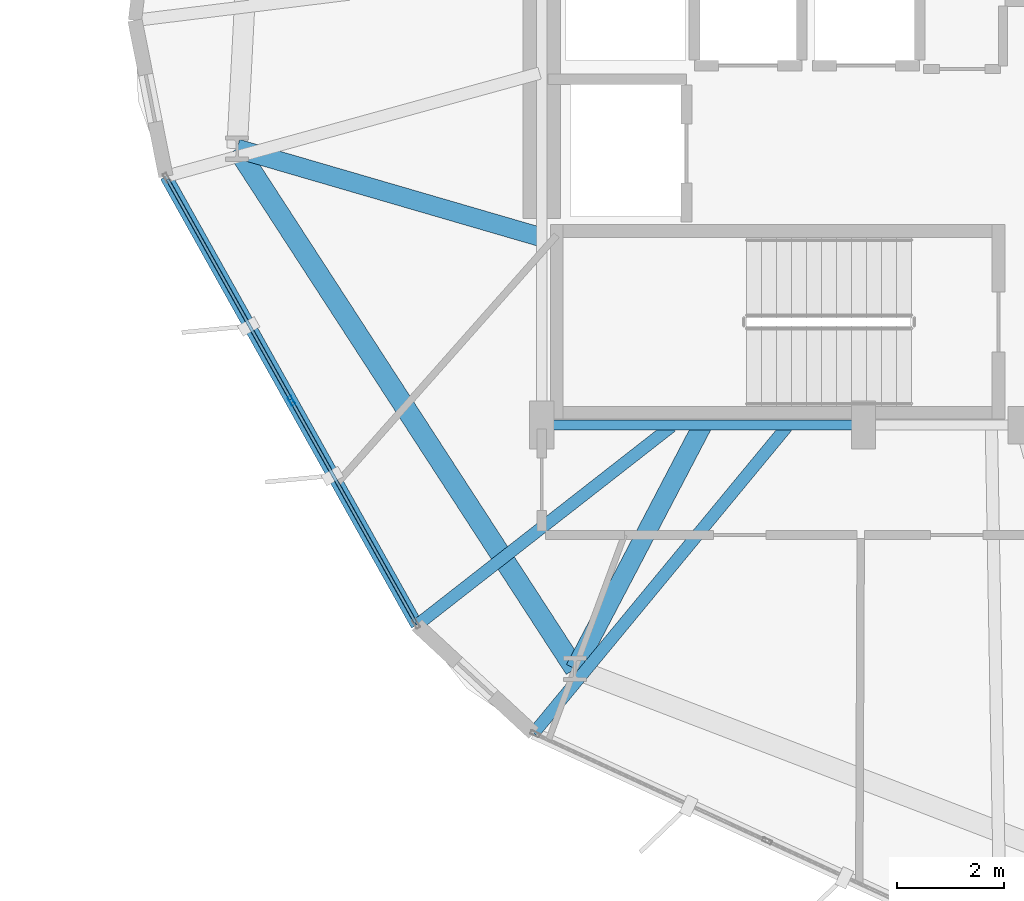
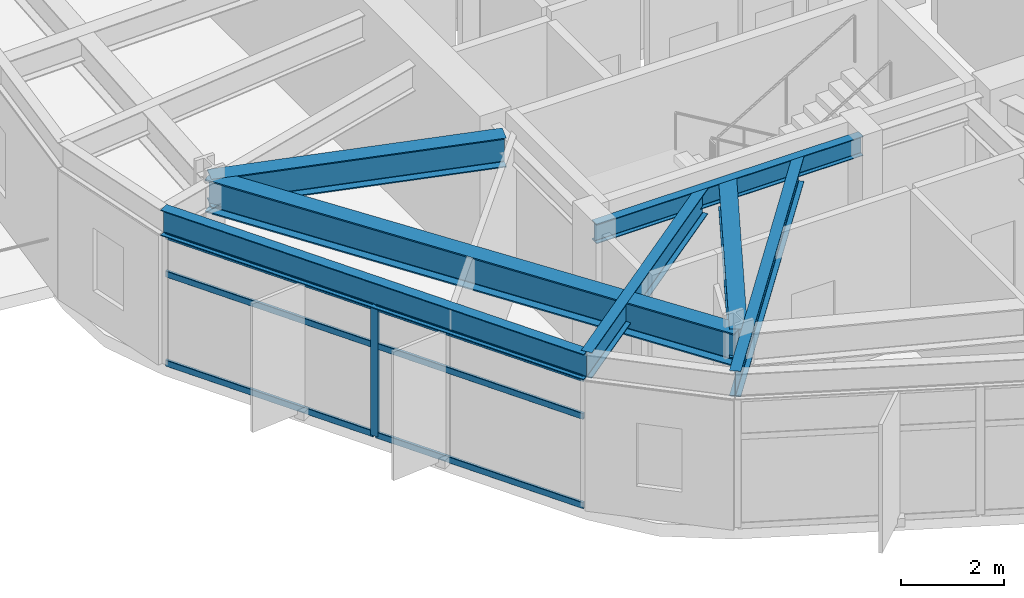
# One storey, part 3 of 22: 7 beams, 7 members, 1 element without a shape of its own.
"""IFC4 building model written with IfcOpenShell, lengths in metres."""

from ifc_helpers import new_model, si_unit, direction, frame, origin, origin_2d, place, context, subcontext, project, spatial, hollow_rectangle, i_section, extrude, material, layer, layer_set, material_profile, profile_set, type_object, element, aggregate, save


model = new_model("IFC4")

# Units and contexts
model_context = context("Model", 3, precision=1e-05, world=origin(), true_north=direction((0.0, 1.0)))
body_context = subcontext(model_context, "Body", "Model", "MODEL_VIEW")
ifc_project = project(units=[si_unit("LENGTHUNIT", "METRE"), si_unit("AREAUNIT", "SQUARE_METRE"), si_unit("VOLUMEUNIT", "CUBIC_METRE"), si_unit("PLANEANGLEUNIT", "RADIAN"), si_unit("MASSUNIT", "GRAM", prefix="KILO")], contexts=[model_context])

# Site, building, storey
site_placement = place(None, origin())
site = spatial("IfcSite", under=ifc_project, at=site_placement, CompositionType="ELEMENT")
building_placement = place(site_placement, origin())
building = spatial("IfcBuilding", under=site, at=building_placement, Name="Soratama Intermodal Tower", CompositionType="ELEMENT")
storey_placement = place(building_placement, frame((0.0, 0.0, 70.60009765625)))
storey = spatial("IfcBuildingStorey", under=building, at=storey_placement, Name="L16", CompositionType="ELEMENT", Elevation=70.60009765625)

# Beams
ifc_material_1 = material(Name="Structural steel ASTM A992 Grade 50", Category="steel")
ifc_material_profile_1 = material_profile(ifc_material_1, i_section(OverallWidth=0.19091796875, OverallDepth=0.4599609375, WebThickness=0.010009765625, FlangeThickness=0.01611328125, FilletRadius=0.010986328125, at=origin_2d()), Name="W18X55")
ifc_profile_set_1 = profile_set([ifc_material_profile_1], Name="Structural steel ASTM A992 Grade 50")
beam_type_1 = type_object("IfcBeamType", Name="BM-FLR-W18X55", PredefinedType="BEAM", material=ifc_profile_set_1)
beam_1_placement = place(storey_placement, frame((32.60009765625, 15.0, 3.469970703125), z_axis=(1.0, 0.0, 0.0), x_axis=(0.0, 1.0, 0.0)))
element("IfcBeam", 1, at=beam_1_placement, inside=storey, type_object=beam_type_1, Name="BM-L16-CRING-01", PredefinedType="BEAM", context=body_context, shape_type="SweptSolid", body=[
    extrude(i_section(OverallWidth=0.19091796875, OverallDepth=0.4599609375, WebThickness=0.010009765625, FlangeThickness=0.01611328125, FilletRadius=0.010986328125, at=origin_2d()), origin(), (0.0, 0.0, 1.0), 6.0),
])
ifc_material_2 = material(Name="Structural steel ASTM A992 Grade 50", Category="steel")
ifc_material_profile_2 = material_profile(ifc_material_2, i_section(OverallWidth=0.35498046875, OverallDepth=0.695068359375, WebThickness=0.015380859375, FlangeThickness=0.02490234375, FilletRadius=0.01611328125, at=origin_2d()), Name="W27X146")
ifc_profile_set_2 = profile_set([ifc_material_profile_2], Name="Structural steel ASTM A992 Grade 50")
beam_type_2 = type_object("IfcBeamType", Name="BM-RING-W27X146", PredefinedType="BEAM", material=ifc_profile_set_2)
beam_2_placement = place(storey_placement, frame((32.60009765625, 18.5, 3.352294921875), z_axis=(-0.960102504931, 0.279648314898, 0.0), x_axis=(-0.279648314898, -0.960102504931, 0.0)))
element("IfcBeam", 2, at=beam_2_placement, inside=storey, type_object=beam_type_2, Name="BM-L16-RAD-06", PredefinedType="BEAM", context=body_context, shape_type="SweptSolid", body=[
    extrude(i_section(OverallWidth=0.35498046875, OverallDepth=0.695068359375, WebThickness=0.015380859375, FlangeThickness=0.02490234375, FilletRadius=0.01611328125, at=origin_2d()), origin(), (0.0, 0.0, 1.0), 5.918212890625),
])
beam_3_placement = place(storey_placement, frame((35.60009765625, 15.0, 3.352294921875), z_axis=(-0.463818619792, -0.885930182314, 0.0), x_axis=(0.885930182314, -0.463818619792, 0.0)))
element("IfcBeam", 3, at=beam_3_placement, inside=storey, type_object=beam_type_2, Name="BM-L16-RAD-07", PredefinedType="BEAM", context=body_context, shape_type="SweptSolid", body=[
    extrude(i_section(OverallWidth=0.35498046875, OverallDepth=0.695068359375, WebThickness=0.015380859375, FlangeThickness=0.02490234375, FilletRadius=0.01611328125, at=origin_2d()), origin(), (0.0, 0.0, 1.0), 5.1337890625),
])
ifc_material_3 = material(Name="Structural steel ASTM A992 Grade 50", Category="steel")
ifc_material_profile_3 = material_profile(ifc_material_3, i_section(OverallWidth=0.382080078125, OverallDepth=0.779052734375, WebThickness=0.01806640625, FlangeThickness=0.030029296875, FilletRadius=0.01806640625, at=origin_2d()), Name="W30X191")
ifc_profile_set_3 = profile_set([ifc_material_profile_3], Name="Structural steel ASTM A992 Grade 50")
beam_type_3 = type_object("IfcBeamType", Name="BM-RING-W30X191", PredefinedType="BEAM", material=ifc_profile_set_3)
beam_4_placement = place(storey_placement, frame((26.91796875, 20.155029296875, 3.310302734375), z_axis=(0.544623370352, -0.838680740489, 0.0), x_axis=(0.838680740489, 0.544623370352, 0.0)))
element("IfcBeam", 4, at=beam_4_placement, inside=storey, type_object=beam_type_3, Name="BM-L16-RING-06", PredefinedType="BEAM", context=body_context, shape_type="SweptSolid", body=[
    extrude(i_section(OverallWidth=0.382080078125, OverallDepth=0.779052734375, WebThickness=0.01806640625, FlangeThickness=0.030029296875, FilletRadius=0.01806640625, at=origin_2d()), origin(), (0.0, 0.0, 1.0), 11.569580078125),
])
ifc_material_4 = material(Name="Structural steel ASTM A992 Grade 50", Category="steel")
ifc_material_profile_4 = material_profile(ifc_material_4, i_section(OverallWidth=0.22900390625, OverallDepth=0.612060546875, WebThickness=0.011962890625, FlangeThickness=0.01953125, FilletRadius=0.012939453125, at=origin_2d()), Name="W24X84")
ifc_profile_set_4 = profile_set([ifc_material_profile_4], Name="Structural steel ASTM A992 Grade 50")
beam_type_4 = type_object("IfcBeamType", Name="BM-SPN-W24X84", PredefinedType="SPANDREL", material=ifc_profile_set_4)
beam_5_placement = place(storey_placement, frame((25.591064453125, 19.637939453125, 3.393798828125), z_axis=(0.488109476616, -0.872782412081, 0.0), x_axis=(0.872782412081, 0.488109476616, 0.0)))
element("IfcBeam", 5, at=beam_5_placement, inside=storey, type_object=beam_type_4, Name="BS-L16-F06", PredefinedType="SPANDREL", context=body_context, shape_type="SweptSolid", body=[
    extrude(i_section(OverallWidth=0.22900390625, OverallDepth=0.612060546875, WebThickness=0.011962890625, FlangeThickness=0.01953125, FilletRadius=0.012939453125, at=origin_2d()), origin(), (0.0, 0.0, 1.0), 9.58984375),
])
ifc_material_5 = material(Name="Structural steel ASTM A992 Grade 50", Category="steel")
ifc_material_profile_5 = material_profile(ifc_material_5, i_section(OverallWidth=0.22900390625, OverallDepth=0.612060546875, WebThickness=0.011962890625, FlangeThickness=0.01953125, FilletRadius=0.012939453125, at=origin_2d()), Name="W24X84")
ifc_profile_set_5 = profile_set([ifc_material_profile_5], Name="Structural steel ASTM A992 Grade 50")
beam_type_5 = type_object("IfcBeamType", Name="BM-TIE-W24X84", PredefinedType="BEAM", material=ifc_profile_set_5)
beam_6_placement = place(storey_placement, frame((35.01806640625, 14.97509765625, 3.393798828125), z_axis=(-0.788093205286, -0.615555927421, 0.0), x_axis=(0.615555927421, -0.788093205286, 0.0)))
element("IfcBeam", 6, at=beam_6_placement, inside=storey, type_object=beam_type_5, Name="BM-L16-TIE1-06", PredefinedType="BEAM", context=body_context, shape_type="SweptSolid", body=[
    extrude(i_section(OverallWidth=0.22900390625, OverallDepth=0.612060546875, WebThickness=0.011962890625, FlangeThickness=0.01953125, FilletRadius=0.012939453125, at=origin_2d()), origin(), (0.0, 0.0, 1.0), 6.022216796875),
])
beam_7_placement = place(storey_placement, frame((37.1708984375, 14.968994140625, 3.393798828125), z_axis=(-0.636799743272, -0.771029238725, 0.0), x_axis=(0.771029238725, -0.636799743272, 0.0)))
element("IfcBeam", 7, at=beam_7_placement, inside=storey, type_object=beam_type_5, Name="BM-L16-TIE0-07", PredefinedType="BEAM", context=body_context, shape_type="SweptSolid", body=[
    extrude(i_section(OverallWidth=0.22900390625, OverallDepth=0.612060546875, WebThickness=0.011962890625, FlangeThickness=0.01953125, FilletRadius=0.012939453125, at=origin_2d()), origin(), (0.0, 0.0, 1.0), 7.41357421875),
])

# Curtain wall, members
ifc_material_6 = material(Name="Double-glazed aluminium curtain wall", Category="aluminium")
ifc_layer = layer(ifc_material_6, 0.159912109375)
ifc_layer_set = layer_set([ifc_layer], Name="Double-glazed aluminium curtain wall")
curtain_wall_type = type_object("IfcCurtainWallType", Name="CW-SYS-2", PredefinedType="NOTDEFINED", material=ifc_layer_set)
curtain_wall_placement = place(storey_placement, origin())
curtain_wall = element("IfcCurtainWall", 8, at=curtain_wall_placement, inside=storey, type_object=curtain_wall_type, Name="L16 Faceted Curtain Wall F06", PredefinedType="NOTDEFINED")
ifc_material_7 = material(Name="Anodised aluminium AA 6063-T6", Category="aluminium")
ifc_material_profile_6 = material_profile(ifc_material_7, hollow_rectangle(XDim=0.074951171875, YDim=0.179931640625, WallThickness=0.006103515625, InnerFilletRadius=0.006103515625, OuterFilletRadius=0.011962890625, at=origin_2d()), Name="CWM180X75X6")
ifc_profile_set_6 = profile_set([ifc_material_profile_6], Name="Anodised aluminium AA 6063-T6")
member_type_1 = type_object("IfcMemberType", Name="MT-CWM-2", PredefinedType="MULLION", material=ifc_profile_set_6)
member_1_placement = place(storey_placement, frame((27.931640625, 15.452880859375, 0.0), z_axis=(0.0, 0.0, 1.0), x_axis=(0.872755737534, 0.488157169978, 0.0)))
member_1 = element("IfcMember", 9, at=member_1_placement, type_object=member_type_1, Name="CW-2 mullion 2", PredefinedType="MULLION", context=body_context, shape_type="SweptSolid", body=[
    extrude(hollow_rectangle(XDim=0.074951171875, YDim=0.179931640625, WallThickness=0.006103515625, InnerFilletRadius=0.006103515625, OuterFilletRadius=0.011962890625, at=origin_2d()), origin(), (0.0, 0.0, 1.0), 3.078857421875),
])
ifc_material_8 = material(Name="Anodised aluminium AA 6063-T6", Category="aluminium")
ifc_material_profile_7 = material_profile(ifc_material_8, hollow_rectangle(XDim=0.06494140625, YDim=0.14990234375, WallThickness=0.0048828125, InnerFilletRadius=0.0048828125, OuterFilletRadius=0.010009765625, at=origin_2d()), Name="CWT150X65X5")
ifc_profile_set_7 = profile_set([ifc_material_profile_7], Name="Anodised aluminium AA 6063-T6")
member_type_2 = type_object("IfcMemberType", Name="TT-CWT-1", PredefinedType="USERDEFINED", material=ifc_profile_set_7)
member_2_placement = place(storey_placement, frame((25.6201171875, 19.58544921875, 0.02978515625), z_axis=(0.488183007935, -0.872741285126, 0.0), x_axis=(0.872741285126, 0.488183007935, 0.0)))
member_2 = element("IfcMember", 10, at=member_2_placement, type_object=member_type_2, Name="CW-2 transom 1.1", ObjectType="TRANSOM", PredefinedType="USERDEFINED", context=body_context, shape_type="SweptSolid", body=[
    extrude(hollow_rectangle(XDim=0.06494140625, YDim=0.14990234375, WallThickness=0.0048828125, InnerFilletRadius=0.0048828125, OuterFilletRadius=0.010009765625, at=origin_2d()), origin(), (0.0, 0.0, 1.0), 4.704833984375),
])
member_3_placement = place(storey_placement, frame((25.6201171875, 19.58544921875, 2.14990234375), z_axis=(0.488183007935, -0.872741285126, 0.0), x_axis=(0.872741285126, 0.488183007935, 0.0)))
member_3 = element("IfcMember", 11, at=member_3_placement, type_object=member_type_2, Name="CW-2 transom 1.2", ObjectType="TRANSOM", PredefinedType="USERDEFINED", context=body_context, shape_type="SweptSolid", body=[
    extrude(hollow_rectangle(XDim=0.06494140625, YDim=0.14990234375, WallThickness=0.0048828125, InnerFilletRadius=0.0048828125, OuterFilletRadius=0.010009765625, at=origin_2d()), origin(), (0.0, 0.0, 1.0), 4.704833984375),
])
member_4_placement = place(storey_placement, frame((25.6201171875, 19.58544921875, 3.048828125), z_axis=(0.488183007935, -0.872741285126, 0.0), x_axis=(0.872741285126, 0.488183007935, 0.0)))
member_4 = element("IfcMember", 12, at=member_4_placement, type_object=member_type_2, Name="CW-2 transom 1.3", ObjectType="TRANSOM", PredefinedType="USERDEFINED", context=body_context, shape_type="SweptSolid", body=[
    extrude(hollow_rectangle(XDim=0.06494140625, YDim=0.14990234375, WallThickness=0.0048828125, InnerFilletRadius=0.0048828125, OuterFilletRadius=0.010009765625, at=origin_2d()), origin(), (0.0, 0.0, 1.0), 4.704833984375),
])
member_5_placement = place(storey_placement, frame((27.9462890625, 15.4267578125, 0.02978515625), z_axis=(0.488143482843, -0.872763392998, 0.0), x_axis=(0.872763392998, 0.488143482843, 0.0)))
member_5 = element("IfcMember", 13, at=member_5_placement, type_object=member_type_2, Name="CW-2 transom 2.1", ObjectType="TRANSOM", PredefinedType="USERDEFINED", context=body_context, shape_type="SweptSolid", body=[
    extrude(hollow_rectangle(XDim=0.06494140625, YDim=0.14990234375, WallThickness=0.0048828125, InnerFilletRadius=0.0048828125, OuterFilletRadius=0.010009765625, at=origin_2d()), origin(), (0.0, 0.0, 1.0), 4.704833984375),
])
member_6_placement = place(storey_placement, frame((27.9462890625, 15.4267578125, 2.14990234375), z_axis=(0.488143482843, -0.872763392998, 0.0), x_axis=(0.872763392998, 0.488143482843, 0.0)))
member_6 = element("IfcMember", 14, at=member_6_placement, type_object=member_type_2, Name="CW-2 transom 2.2", ObjectType="TRANSOM", PredefinedType="USERDEFINED", context=body_context, shape_type="SweptSolid", body=[
    extrude(hollow_rectangle(XDim=0.06494140625, YDim=0.14990234375, WallThickness=0.0048828125, InnerFilletRadius=0.0048828125, OuterFilletRadius=0.010009765625, at=origin_2d()), origin(), (0.0, 0.0, 1.0), 4.704833984375),
])
member_7_placement = place(storey_placement, frame((27.9462890625, 15.4267578125, 3.048828125), z_axis=(0.488143482843, -0.872763392998, 0.0), x_axis=(0.872763392998, 0.488143482843, 0.0)))
member_7 = element("IfcMember", 15, at=member_7_placement, type_object=member_type_2, Name="CW-2 transom 2.3", ObjectType="TRANSOM", PredefinedType="USERDEFINED", context=body_context, shape_type="SweptSolid", body=[
    extrude(hollow_rectangle(XDim=0.06494140625, YDim=0.14990234375, WallThickness=0.0048828125, InnerFilletRadius=0.0048828125, OuterFilletRadius=0.010009765625, at=origin_2d()), origin(), (0.0, 0.0, 1.0), 4.704833984375),
])
aggregate(curtain_wall, [member_1, member_2, member_3, member_4, member_5, member_6, member_7])

save(model, "model.ifc")
